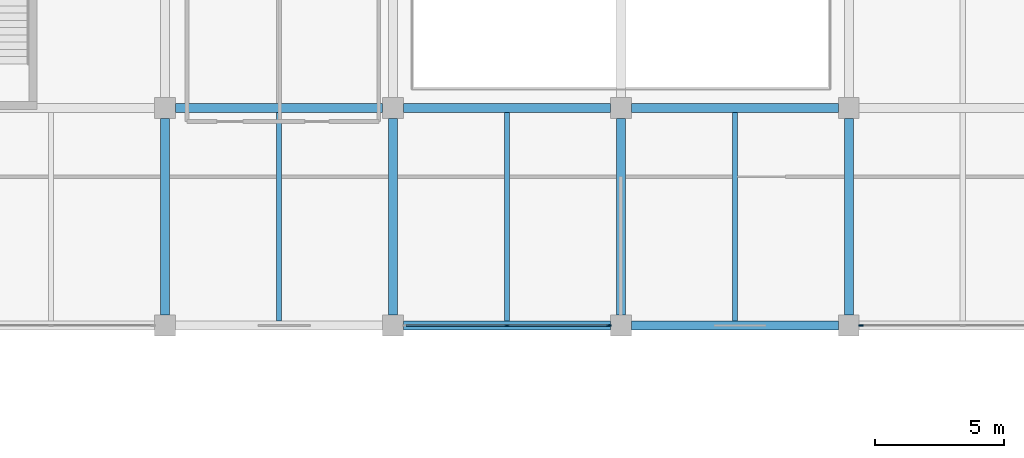
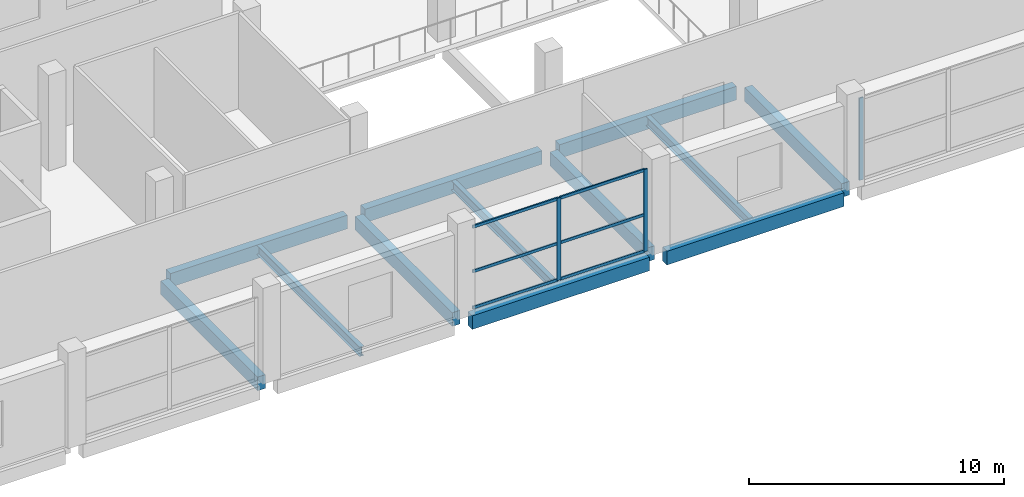
# One storey, part 8 of 31: 12 beams, 9 members, 2 elements without a shape of their own.
"""IFC4 building model written with IfcOpenShell, lengths in metres."""

from ifc_helpers import new_model, si_unit, direction, frame, origin, origin_2d, place, context, subcontext, project, spatial, rectangle, i_section, extrude, material, material_profile, profile_set, type_object, element, aggregate, save


model = new_model("IFC4")

# Units and contexts
model_context = context("Model", 3, precision=1e-05, world=origin(), true_north=direction((0.0, 1.0)))
body_context = subcontext(model_context, "Body", "Model", "MODEL_VIEW")
ifc_project = project(units=[si_unit("LENGTHUNIT", "METRE"), si_unit("AREAUNIT", "SQUARE_METRE"), si_unit("VOLUMEUNIT", "CUBIC_METRE"), si_unit("PLANEANGLEUNIT", "RADIAN"), si_unit("MASSUNIT", "GRAM", prefix="KILO")], contexts=[model_context])

# Site, building, storey
site_placement = place(None, origin())
site = spatial("IfcSite", under=ifc_project, at=site_placement, CompositionType="ELEMENT")
building_placement = place(site_placement, origin())
building = spatial("IfcBuilding", under=site, at=building_placement, Name="Brinegate Botanical Conservatory", CompositionType="ELEMENT")
storey_placement = place(building_placement, frame((0.0, 0.0, 5.39990234375)))
storey = spatial("IfcBuildingStorey", under=building, at=storey_placement, Name="L02", CompositionType="ELEMENT", Elevation=5.39990234375)

# Beams
ifc_material_1 = material(Name="Concrete C40/50", Category="concrete")
ifc_material_profile_1 = material_profile(ifc_material_1, rectangle(XDim=0.35009765625, YDim=0.64990234375, at=origin_2d()), Name="RC BM 350x650")
ifc_profile_set_1 = profile_set([ifc_material_profile_1], Name="Concrete C40/50")
beam_type_1 = type_object("IfcBeamType", Name="Beam_BM-V3", PredefinedType="BEAM", material=ifc_profile_set_1)
for number, where, z_axis, x_axis, name in (
    (1, (77.60009765625, 86.800048828125, -0.544921875), (1.0, 0.0, 0.0), (0.0, 1.0, 0.0), "Beam BM-V3 L02 L:10-11"),
    (2, (86.39990234375, 86.800048828125, -0.544921875), (1.0, 0.0, 0.0), (0.0, 1.0, 0.0), "Beam BM-V3 L02 L:11-12"),
    (3, (68.800048828125, 95.199951171875, -0.544921875), (1.0, 0.0, 0.0), (0.0, 1.0, 0.0), "Beam BM-V3 L02 M:9-10"),
    (4, (77.60009765625, 95.199951171875, -0.544921875), (1.0, 0.0, 0.0), (0.0, 1.0, 0.0), "Beam BM-V3 L02 M:10-11"),
    (5, (86.39990234375, 95.199951171875, -0.544921875), (1.0, 0.0, 0.0), (0.0, 1.0, 0.0), "Beam BM-V3 L02 M:11-12"),
):
    element("IfcBeam", number, at=place(storey_placement, frame(where, z_axis=z_axis, x_axis=x_axis)), inside=storey, type_object=beam_type_1, Name=name, PredefinedType="BEAM", context=body_context, shape_type="SweptSolid", body=[
        extrude(rectangle(XDim=0.35009765625, YDim=0.64990234375, at=origin_2d()), origin(), (0.0, 0.0, 1.0), 8.0),
    ])
for number, where, z_axis, x_axis, name in (
    (6, (68.39990234375, 87.199951171875, -0.544921875), (0.0, 1.0, 0.0), (-1.0, 0.0, 0.0), "Beam BM-V3 L02 9:L-M"),
    (7, (77.199951171875, 87.199951171875, -0.544921875), (0.0, 1.0, 0.0), (-1.0, 0.0, 0.0), "Beam BM-V3 L02 10:L-M"),
    (8, (86.0, 87.199951171875, -0.544921875), (0.0, 1.0, 0.0), (-1.0, 0.0, 0.0), "Beam BM-V3 L02 11:L-M"),
    (9, (94.800048828125, 87.199951171875, -0.544921875), (0.0, 1.0, 0.0), (-1.0, 0.0, 0.0), "Beam BM-V3 L02 12:L-M"),
):
    element("IfcBeam", number, at=place(storey_placement, frame(where, z_axis=z_axis, x_axis=x_axis)), inside=storey, type_object=beam_type_1, Name=name, PredefinedType="BEAM", context=body_context, shape_type="SweptSolid", body=[
        extrude(rectangle(XDim=0.35009765625, YDim=0.64990234375, at=origin_2d()), origin(), (0.0, 0.0, 1.0), 7.60009765625),
    ])
ifc_material_2 = material(Name="Structural steel Q355B / S355", Category="steel")
ifc_material_profile_2 = material_profile(ifc_material_2, i_section(OverallWidth=0.199951171875, OverallDepth=0.449951171875, WebThickness=0.009033203125, FlangeThickness=0.013916015625, at=origin_2d()), Name="HN 450x200x9x14")
ifc_profile_set_2 = profile_set([ifc_material_profile_2], Name="Structural steel Q355B / S355")
beam_type_2 = type_object("IfcBeamType", Name="Beam_JS-S1", PredefinedType="JOIST", material=ifc_profile_set_2)
for number, where, z_axis, x_axis, name in (
    (10, (72.800048828125, 86.97509765625, -0.44482421875), (0.0, 1.0, 0.0), (-1.0, 0.0, 0.0), "Floor joist JS-S1 L02 bay 9.11"),
    (11, (81.60009765625, 86.97509765625, -0.44482421875), (0.0, 1.0, 0.0), (-1.0, 0.0, 0.0), "Floor joist JS-S1 L02 bay 10.11"),
    (12, (90.39990234375, 86.97509765625, -0.44482421875), (0.0, 1.0, 0.0), (-1.0, 0.0, 0.0), "Floor joist JS-S1 L02 bay 11.11"),
):
    element("IfcBeam", number, at=place(storey_placement, frame(where, z_axis=z_axis, x_axis=x_axis)), inside=storey, type_object=beam_type_2, Name=name, PredefinedType="JOIST", context=body_context, shape_type="SweptSolid", body=[
        extrude(i_section(OverallWidth=0.199951171875, OverallDepth=0.449951171875, WebThickness=0.009033203125, FlangeThickness=0.013916015625, at=origin_2d()), origin(), (0.0, 0.0, 1.0), 8.0498046875),
    ])

# Curtain wall, members
ifc_material_3 = material(Name="Thermally broken anodised aluminium AW-6063-T6", Category="aluminium")
curtain_wall_type = type_object("IfcCurtainWallType", Name="CW_CW-V3", PredefinedType="USERDEFINED", material=ifc_material_3)
curtain_wall_1_placement = place(storey_placement, origin())
curtain_wall_1 = element("IfcCurtainWall", 13, at=curtain_wall_1_placement, inside=storey, type_object=curtain_wall_type, Name="Visitor south court curtain wall L02.4", ObjectType="FACTORY CURTAIN WALL", PredefinedType="USERDEFINED")
ifc_material_profile_3 = material_profile(ifc_material_3, rectangle(XDim=0.06494140625, YDim=0.179931640625, at=origin_2d()), Name="ALUM MULLION 65x180")
ifc_profile_set_3 = profile_set([ifc_material_profile_3], Name="Thermally broken anodised aluminium AW-6063-T6")
member_type_1 = type_object("IfcMemberType", Name="Member_ML-02", PredefinedType="MULLION", material=ifc_profile_set_3)
member_1_placement = place(storey_placement, frame((85.527587890625, 86.800048828125, 0.0), z_axis=(0.0, 0.0, 1.0), x_axis=(0.0, -1.0, 0.0)))
member_1 = element("IfcMember", 14, at=member_1_placement, type_object=member_type_1, Name="CW-V3 mullion 1", PredefinedType="MULLION", context=body_context, shape_type="SweptSolid", body=[
    extrude(rectangle(XDim=0.06494140625, YDim=0.179931640625, at=origin_2d()), origin(), (0.0, 0.0, 1.0), 3.93017578125),
])
member_2_placement = place(storey_placement, frame((81.60009765625, 86.800048828125, 0.0), z_axis=(0.0, 0.0, 1.0), x_axis=(0.0, -1.0, 0.0)))
member_2 = element("IfcMember", 15, at=member_2_placement, type_object=member_type_1, Name="CW-V3 mullion 2", PredefinedType="MULLION", context=body_context, shape_type="SweptSolid", body=[
    extrude(rectangle(XDim=0.06494140625, YDim=0.179931640625, at=origin_2d()), origin(), (0.0, 0.0, 1.0), 3.93017578125),
])

# Curtain wall, member
curtain_wall_2_placement = place(storey_placement, origin())
curtain_wall_2 = element("IfcCurtainWall", 16, at=curtain_wall_2_placement, inside=storey, type_object=curtain_wall_type, Name="Visitor south court curtain wall L02.6", ObjectType="FACTORY CURTAIN WALL", PredefinedType="USERDEFINED")
member_3_placement = place(storey_placement, frame((95.2724609375, 86.800048828125, 0.0), z_axis=(0.0, 0.0, 1.0), x_axis=(0.0, -1.0, 0.0)))
member_3 = element("IfcMember", 17, at=member_3_placement, type_object=member_type_1, Name="CW-V3 mullion 3", PredefinedType="MULLION", context=body_context, shape_type="SweptSolid", body=[
    extrude(rectangle(XDim=0.06494140625, YDim=0.179931640625, at=origin_2d()), origin(), (0.0, 0.0, 1.0), 3.93017578125),
])
aggregate(curtain_wall_2, [member_3])

# Member
ifc_material_profile_4 = material_profile(ifc_material_3, rectangle(XDim=0.06494140625, YDim=0.135009765625, at=origin_2d()), Name="ALUM TRANSOM 65x135")
ifc_profile_set_4 = profile_set([ifc_material_profile_4], Name="Thermally broken anodised aluminium AW-6063-T6")
member_type_2 = type_object("IfcMemberType", Name="Member_TR-02", PredefinedType="USERDEFINED", material=ifc_profile_set_4)
member_4_placement = place(storey_placement, frame((85.4951171875, 86.800048828125, 0.03271484375), z_axis=(-1.0, 0.0, 0.0), x_axis=(0.0, -1.0, 0.0)))
member_4 = element("IfcMember", 18, at=member_4_placement, type_object=member_type_2, Name="CW-V3 transom 1.1", ObjectType="TRANSOM", PredefinedType="USERDEFINED", context=body_context, shape_type="SweptSolid", body=[
    extrude(rectangle(XDim=0.06494140625, YDim=0.135009765625, at=origin_2d()), origin(), (0.0, 0.0, 1.0), 3.862548828125),
])

member_5_placement = place(storey_placement, frame((85.4951171875, 86.800048828125, 1.76806640625), z_axis=(-1.0, 0.0, 0.0), x_axis=(0.0, -1.0, 0.0)))
member_5 = element("IfcMember", 19, at=member_5_placement, type_object=member_type_2, Name="CW-V3 transom 1.2", ObjectType="TRANSOM", PredefinedType="USERDEFINED", context=body_context, shape_type="SweptSolid", body=[
    extrude(rectangle(XDim=0.06494140625, YDim=0.135009765625, at=origin_2d()), origin(), (0.0, 0.0, 1.0), 3.862548828125),
])

member_6_placement = place(storey_placement, frame((85.4951171875, 86.800048828125, 3.897705078125), z_axis=(-1.0, 0.0, 0.0), x_axis=(0.0, -1.0, 0.0)))
member_6 = element("IfcMember", 20, at=member_6_placement, type_object=member_type_2, Name="CW-V3 transom 1.3", ObjectType="TRANSOM", PredefinedType="USERDEFINED", context=body_context, shape_type="SweptSolid", body=[
    extrude(rectangle(XDim=0.06494140625, YDim=0.135009765625, at=origin_2d()), origin(), (0.0, 0.0, 1.0), 3.862548828125),
])

member_7_placement = place(storey_placement, frame((81.5673828125, 86.800048828125, 0.03271484375), z_axis=(-1.0, 0.0, 0.0), x_axis=(0.0, -1.0, 0.0)))
member_7 = element("IfcMember", 21, at=member_7_placement, type_object=member_type_2, Name="CW-V3 transom 2.1", ObjectType="TRANSOM", PredefinedType="USERDEFINED", context=body_context, shape_type="SweptSolid", body=[
    extrude(rectangle(XDim=0.06494140625, YDim=0.135009765625, at=origin_2d()), origin(), (0.0, 0.0, 1.0), 3.8623046875),
])

member_8_placement = place(storey_placement, frame((81.5673828125, 86.800048828125, 1.76806640625), z_axis=(-1.0, 0.0, 0.0), x_axis=(0.0, -1.0, 0.0)))
member_8 = element("IfcMember", 22, at=member_8_placement, type_object=member_type_2, Name="CW-V3 transom 2.2", ObjectType="TRANSOM", PredefinedType="USERDEFINED", context=body_context, shape_type="SweptSolid", body=[
    extrude(rectangle(XDim=0.06494140625, YDim=0.135009765625, at=origin_2d()), origin(), (0.0, 0.0, 1.0), 3.8623046875),
])

member_9_placement = place(storey_placement, frame((81.5673828125, 86.800048828125, 3.897705078125), z_axis=(-1.0, 0.0, 0.0), x_axis=(0.0, -1.0, 0.0)))
member_9 = element("IfcMember", 23, at=member_9_placement, type_object=member_type_2, Name="CW-V3 transom 2.3", ObjectType="TRANSOM", PredefinedType="USERDEFINED", context=body_context, shape_type="SweptSolid", body=[
    extrude(rectangle(XDim=0.06494140625, YDim=0.135009765625, at=origin_2d()), origin(), (0.0, 0.0, 1.0), 3.8623046875),
])

aggregate(curtain_wall_1, [member_1, member_2, member_4, member_5, member_6, member_7, member_8, member_9])

save(model, "model.ifc")
